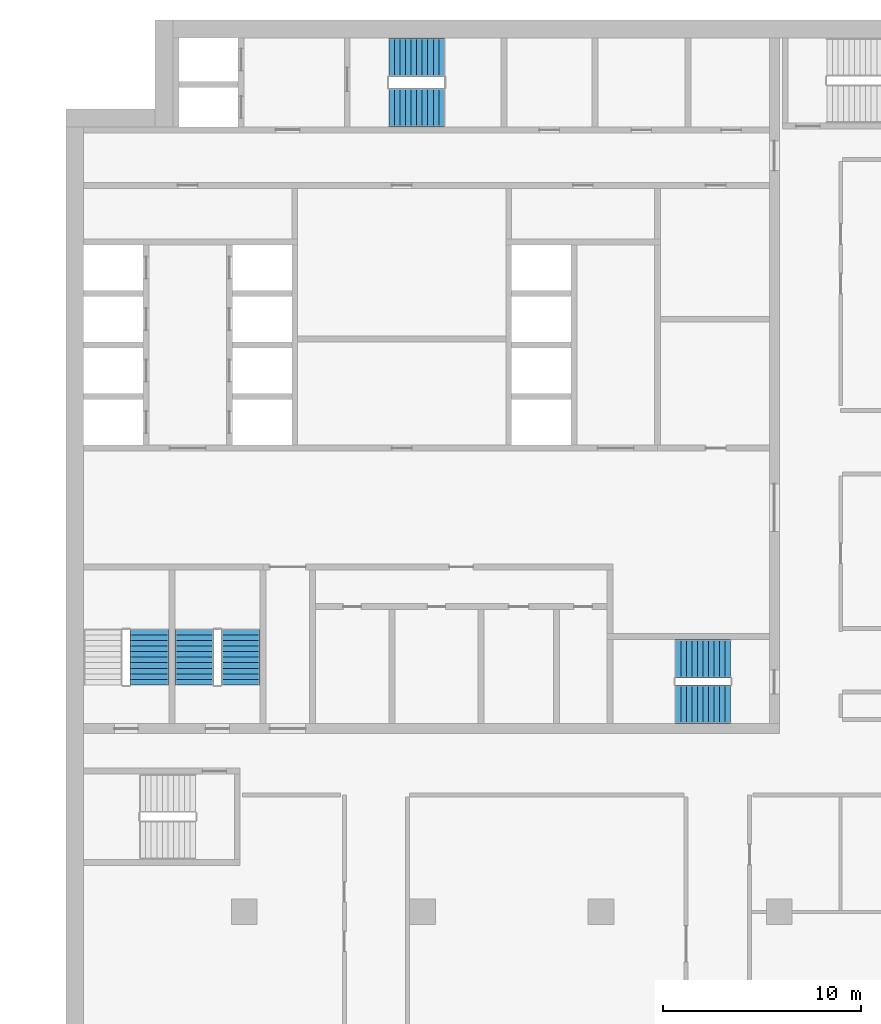
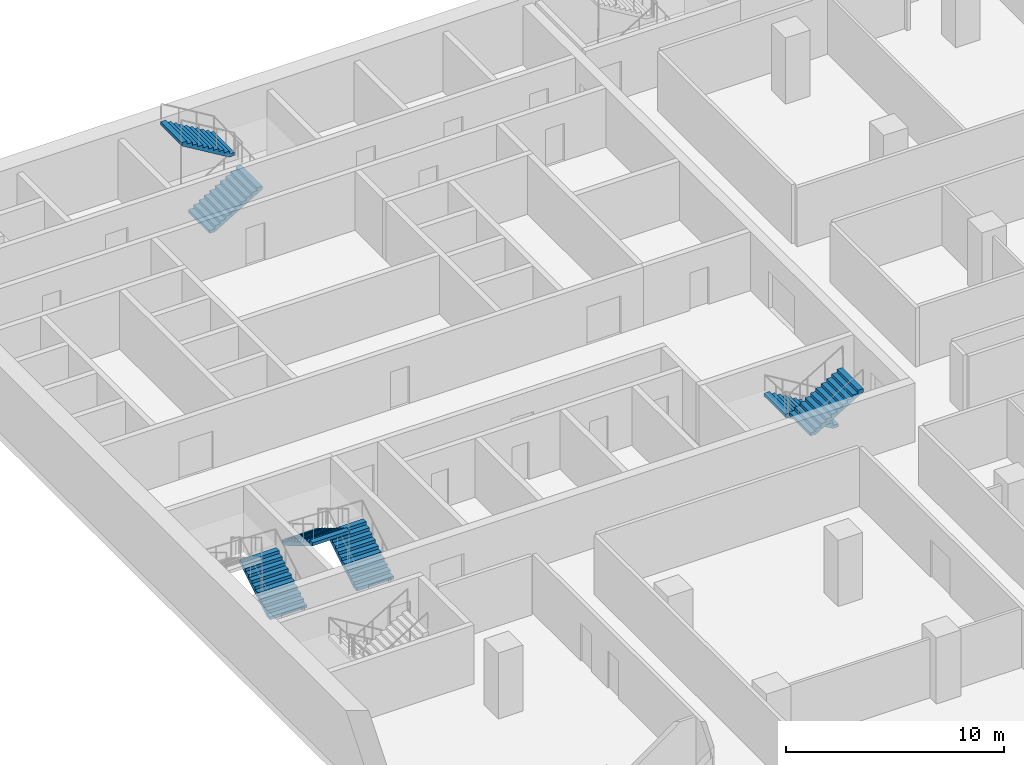
# One storey, part 17 of 23: 7 stair flights, 4 elements without a shape of their own.
"""IFC4 building model written with IfcOpenShell, lengths in metres."""

from ifc_helpers import new_model, si_unit, direction, frame, origin, place, context, subcontext, project, spatial, polyline, outline, extrude, material, type_object, element, aggregate, save


model = new_model("IFC4")

# Units and contexts
model_context = context("Model", 3, precision=1e-05, world=origin(), true_north=direction((0.0, 1.0)))
body_context = subcontext(model_context, "Body", "Model", "MODEL_VIEW")
ifc_project = project(units=[si_unit("LENGTHUNIT", "METRE"), si_unit("AREAUNIT", "SQUARE_METRE"), si_unit("VOLUMEUNIT", "CUBIC_METRE"), si_unit("PLANEANGLEUNIT", "RADIAN"), si_unit("MASSUNIT", "GRAM", prefix="KILO")], contexts=[model_context])

# Site, building, storey
site_placement = place(None, origin())
site = spatial("IfcSite", under=ifc_project, at=site_placement, CompositionType="ELEMENT")
building_placement = place(site_placement, origin())
building = spatial("IfcBuilding", under=site, at=building_placement, Name="Hunhe Ridgeline Campus", CompositionType="ELEMENT")
storey_placement = place(building_placement, frame((0.0, 0.0, 107.0)))
storey = spatial("IfcBuildingStorey", under=building, at=storey_placement, Name="L26", CompositionType="ELEMENT", Elevation=107.0)

# Stair, stair flights
ifc_material = material(Name="Concrete C40", Category="concrete")
stair_type = type_object("IfcStairType", Name="Reinforced concrete dog-leg stair 1950 Concrete C40", PredefinedType="HALF_TURN_STAIR", material=ifc_material)
stair_1_placement = place(storey_placement, origin())
stair_1 = element("IfcStair", 1, at=stair_1_placement, inside=storey, type_object=stair_type, Name="L26 S1", PredefinedType="HALF_TURN_STAIR")
stair_flight_type = type_object("IfcStairFlightType", Name="Reinforced concrete stair flight 1950 Concrete C40", PredefinedType="STRAIGHT", material=ifc_material)
stair_flight_1_placement = place(storey_placement, frame((16.300048828125, 94.574951171875, 0.0), z_axis=(0.0, 0.0, 1.0), x_axis=(1.0, 0.0, 0.0)))
stair_flight_1 = element("IfcStairFlight", 2, at=stair_flight_1_placement, type_object=stair_flight_type, Name="ST1 flight 1", NumberOfRisers=11, NumberOfTreads=10, PredefinedType="STRAIGHT", RiserHeight=0.168181818, TreadLength=0.28, context=body_context, shape_type="SweptSolid", body=[
    extrude(outline(polyline([(0.0, 0.0), (0.0, 0.168212890625), (0.280029296875, 0.168212890625), (0.280029296875, 0.33642578125), (0.56005859375, 0.33642578125), (0.56005859375, 0.504638671875), (0.840087890625, 0.504638671875), (0.840087890625, 0.672607421875), (1.1201171875, 0.672607421875), (1.1201171875, 0.8408203125), (1.39990234375, 0.8408203125), (1.39990234375, 1.009033203125), (1.679931640625, 1.009033203125), (1.679931640625, 1.17724609375), (1.9599609375, 1.17724609375), (1.9599609375, 1.345458984375), (2.239990234375, 1.345458984375), (2.239990234375, 1.513671875), (2.52001953125, 1.513671875), (2.52001953125, 1.681884765625), (2.800048828125, 1.681884765625), (2.800048828125, 1.85009765625), (2.800048828125, 1.5068359375), (0.291015625, 0.0), (0.0, 0.0)])), frame((0.0, 0.97509765625, 0.0), z_axis=(0.0, -1.0, 0.0), x_axis=(1.0, 0.0, 0.0)), (0.0, 0.0, 1.0), 1.949951171875),
    extrude(outline(polyline([(0.030029296875, 0.030029296875), (0.030029296875, 0.13818359375), (0.31005859375, 0.13818359375), (0.31005859375, 0.306396484375), (0.590087890625, 0.306396484375), (0.590087890625, 0.474609375), (0.8701171875, 0.474609375), (0.8701171875, 0.642578125), (1.14990234375, 0.642578125), (1.14990234375, 0.810791015625), (1.429931640625, 0.810791015625), (1.429931640625, 0.97900390625), (1.7099609375, 0.97900390625), (1.7099609375, 1.147216796875), (1.989990234375, 1.147216796875), (1.989990234375, 1.3154296875), (2.27001953125, 1.3154296875), (2.27001953125, 1.483642578125), (2.550048828125, 1.483642578125), (2.550048828125, 1.65185546875), (2.77001953125, 1.65185546875), (2.77001953125, 1.52392578125), (0.28271484375, 0.030029296875), (0.030029296875, 0.030029296875)])), frame((0.0, -0.070068359375, 0.0), z_axis=(0.0, -1.0, 0.0), x_axis=(1.0, 0.0, 0.0)), (0.0, 0.0, 1.0), 0.019775390625),
    extrude(outline(polyline([(0.030029296875, 0.030029296875), (0.030029296875, 0.13818359375), (0.31005859375, 0.13818359375), (0.31005859375, 0.306396484375), (0.590087890625, 0.306396484375), (0.590087890625, 0.474609375), (0.8701171875, 0.474609375), (0.8701171875, 0.642578125), (1.14990234375, 0.642578125), (1.14990234375, 0.810791015625), (1.429931640625, 0.810791015625), (1.429931640625, 0.97900390625), (1.7099609375, 0.97900390625), (1.7099609375, 1.147216796875), (1.989990234375, 1.147216796875), (1.989990234375, 1.3154296875), (2.27001953125, 1.3154296875), (2.27001953125, 1.483642578125), (2.550048828125, 1.483642578125), (2.550048828125, 1.65185546875), (2.77001953125, 1.65185546875), (2.77001953125, 1.52392578125), (0.28271484375, 0.030029296875), (0.030029296875, 0.030029296875)])), frame((0.0, 0.010009765625, 0.0), z_axis=(0.0, -1.0, 0.0), x_axis=(1.0, 0.0, 0.0)), (0.0, 0.0, 1.0), 0.019775390625),
    extrude(outline(polyline([(0.030029296875, 0.030029296875), (0.030029296875, 0.13818359375), (0.31005859375, 0.13818359375), (0.31005859375, 0.306396484375), (0.590087890625, 0.306396484375), (0.590087890625, 0.474609375), (0.8701171875, 0.474609375), (0.8701171875, 0.642578125), (1.14990234375, 0.642578125), (1.14990234375, 0.810791015625), (1.429931640625, 0.810791015625), (1.429931640625, 0.97900390625), (1.7099609375, 0.97900390625), (1.7099609375, 1.147216796875), (1.989990234375, 1.147216796875), (1.989990234375, 1.3154296875), (2.27001953125, 1.3154296875), (2.27001953125, 1.483642578125), (2.550048828125, 1.483642578125), (2.550048828125, 1.65185546875), (2.77001953125, 1.65185546875), (2.77001953125, 1.52392578125), (0.28271484375, 0.030029296875), (0.030029296875, 0.030029296875)])), frame((0.0, 0.090087890625, 0.0), z_axis=(0.0, -1.0, 0.0), x_axis=(1.0, 0.0, 0.0)), (0.0, 0.0, 1.0), 0.019775390625),
])
stair_flight_2_placement = place(storey_placement, frame((19.10009765625, 97.125, 1.85009765625), z_axis=(0.0, 0.0, 1.0), x_axis=(-1.0, 0.0, 0.0)))
stair_flight_2 = element("IfcStairFlight", 3, at=stair_flight_2_placement, type_object=stair_flight_type, Name="ST1 flight 2", NumberOfRisers=11, NumberOfTreads=10, PredefinedType="STRAIGHT", RiserHeight=0.168181818, TreadLength=0.28, context=body_context, shape_type="SweptSolid", body=[
    extrude(outline(polyline([(0.0, 0.0), (0.0, 0.168212890625), (0.280029296875, 0.168212890625), (0.280029296875, 0.33642578125), (0.56005859375, 0.33642578125), (0.56005859375, 0.504638671875), (0.840087890625, 0.504638671875), (0.840087890625, 0.672607421875), (1.1201171875, 0.672607421875), (1.1201171875, 0.8408203125), (1.39990234375, 0.8408203125), (1.39990234375, 1.009033203125), (1.679931640625, 1.009033203125), (1.679931640625, 1.17724609375), (1.9599609375, 1.17724609375), (1.9599609375, 1.345458984375), (2.239990234375, 1.345458984375), (2.239990234375, 1.513671875), (2.52001953125, 1.513671875), (2.52001953125, 1.681884765625), (2.800048828125, 1.681884765625), (2.800048828125, 1.85009765625), (2.800048828125, 1.5068359375), (0.291015625, 0.0), (0.0, 0.0)])), frame((0.0, 0.97509765625, 0.0), z_axis=(0.0, -1.0, 0.0), x_axis=(1.0, 0.0, 0.0)), (0.0, 0.0, 1.0), 1.949951171875),
    extrude(outline(polyline([(0.030029296875, 0.030029296875), (0.030029296875, 0.13818359375), (0.31005859375, 0.13818359375), (0.31005859375, 0.306396484375), (0.590087890625, 0.306396484375), (0.590087890625, 0.474609375), (0.8701171875, 0.474609375), (0.8701171875, 0.642578125), (1.14990234375, 0.642578125), (1.14990234375, 0.810791015625), (1.429931640625, 0.810791015625), (1.429931640625, 0.97900390625), (1.7099609375, 0.97900390625), (1.7099609375, 1.147216796875), (1.989990234375, 1.147216796875), (1.989990234375, 1.3154296875), (2.27001953125, 1.3154296875), (2.27001953125, 1.483642578125), (2.550048828125, 1.483642578125), (2.550048828125, 1.65185546875), (2.77001953125, 1.65185546875), (2.77001953125, 1.52392578125), (0.28271484375, 0.030029296875), (0.030029296875, 0.030029296875)])), frame((0.0, -0.070068359375, 0.0), z_axis=(0.0, -1.0, 0.0), x_axis=(1.0, 0.0, 0.0)), (0.0, 0.0, 1.0), 0.019775390625),
    extrude(outline(polyline([(0.030029296875, 0.030029296875), (0.030029296875, 0.13818359375), (0.31005859375, 0.13818359375), (0.31005859375, 0.306396484375), (0.590087890625, 0.306396484375), (0.590087890625, 0.474609375), (0.8701171875, 0.474609375), (0.8701171875, 0.642578125), (1.14990234375, 0.642578125), (1.14990234375, 0.810791015625), (1.429931640625, 0.810791015625), (1.429931640625, 0.97900390625), (1.7099609375, 0.97900390625), (1.7099609375, 1.147216796875), (1.989990234375, 1.147216796875), (1.989990234375, 1.3154296875), (2.27001953125, 1.3154296875), (2.27001953125, 1.483642578125), (2.550048828125, 1.483642578125), (2.550048828125, 1.65185546875), (2.77001953125, 1.65185546875), (2.77001953125, 1.52392578125), (0.28271484375, 0.030029296875), (0.030029296875, 0.030029296875)])), frame((0.0, 0.010009765625, 0.0), z_axis=(0.0, -1.0, 0.0), x_axis=(1.0, 0.0, 0.0)), (0.0, 0.0, 1.0), 0.019775390625),
    extrude(outline(polyline([(0.030029296875, 0.030029296875), (0.030029296875, 0.13818359375), (0.31005859375, 0.13818359375), (0.31005859375, 0.306396484375), (0.590087890625, 0.306396484375), (0.590087890625, 0.474609375), (0.8701171875, 0.474609375), (0.8701171875, 0.642578125), (1.14990234375, 0.642578125), (1.14990234375, 0.810791015625), (1.429931640625, 0.810791015625), (1.429931640625, 0.97900390625), (1.7099609375, 0.97900390625), (1.7099609375, 1.147216796875), (1.989990234375, 1.147216796875), (1.989990234375, 1.3154296875), (2.27001953125, 1.3154296875), (2.27001953125, 1.483642578125), (2.550048828125, 1.483642578125), (2.550048828125, 1.65185546875), (2.77001953125, 1.65185546875), (2.77001953125, 1.52392578125), (0.28271484375, 0.030029296875), (0.030029296875, 0.030029296875)])), frame((0.0, 0.090087890625, 0.0), z_axis=(0.0, -1.0, 0.0), x_axis=(1.0, 0.0, 0.0)), (0.0, 0.0, 1.0), 0.019775390625),
])
aggregate(stair_1, [stair_flight_1, stair_flight_2])

stair_2_placement = place(storey_placement, origin())
stair_2 = element("IfcStair", 4, at=stair_2_placement, inside=storey, type_object=stair_type, Name="L26 S2", PredefinedType="HALF_TURN_STAIR")
stair_flight_3_placement = place(storey_placement, frame((33.550048828125, 66.77490234375, 0.0), z_axis=(0.0, 0.0, 1.0), x_axis=(-1.0, 0.0, 0.0)))
stair_flight_3 = element("IfcStairFlight", 5, at=stair_flight_3_placement, type_object=stair_flight_type, Name="ST2 flight 1", NumberOfRisers=11, NumberOfTreads=10, PredefinedType="STRAIGHT", RiserHeight=0.168181818, TreadLength=0.28, context=body_context, shape_type="SweptSolid", body=[
    extrude(outline(polyline([(0.0, 0.0), (0.0, 0.168212890625), (0.280029296875, 0.168212890625), (0.280029296875, 0.33642578125), (0.56005859375, 0.33642578125), (0.56005859375, 0.504638671875), (0.840087890625, 0.504638671875), (0.840087890625, 0.672607421875), (1.1201171875, 0.672607421875), (1.1201171875, 0.8408203125), (1.39990234375, 0.8408203125), (1.39990234375, 1.009033203125), (1.679931640625, 1.009033203125), (1.679931640625, 1.17724609375), (1.9599609375, 1.17724609375), (1.9599609375, 1.345458984375), (2.239990234375, 1.345458984375), (2.239990234375, 1.513671875), (2.52001953125, 1.513671875), (2.52001953125, 1.681884765625), (2.800048828125, 1.681884765625), (2.800048828125, 1.85009765625), (2.800048828125, 1.5068359375), (0.291015625, 0.0), (0.0, 0.0)])), frame((0.0, 0.97509765625, 0.0), z_axis=(0.0, -1.0, 0.0), x_axis=(1.0, 0.0, 0.0)), (0.0, 0.0, 1.0), 1.949951171875),
    extrude(outline(polyline([(0.030029296875, 0.030029296875), (0.030029296875, 0.13818359375), (0.31005859375, 0.13818359375), (0.31005859375, 0.306396484375), (0.590087890625, 0.306396484375), (0.590087890625, 0.474609375), (0.8701171875, 0.474609375), (0.8701171875, 0.642578125), (1.14990234375, 0.642578125), (1.14990234375, 0.810791015625), (1.429931640625, 0.810791015625), (1.429931640625, 0.97900390625), (1.7099609375, 0.97900390625), (1.7099609375, 1.147216796875), (1.989990234375, 1.147216796875), (1.989990234375, 1.3154296875), (2.27001953125, 1.3154296875), (2.27001953125, 1.483642578125), (2.550048828125, 1.483642578125), (2.550048828125, 1.65185546875), (2.77001953125, 1.65185546875), (2.77001953125, 1.52392578125), (0.28271484375, 0.030029296875), (0.030029296875, 0.030029296875)])), frame((0.0, -0.070068359375, 0.0), z_axis=(0.0, -1.0, 0.0), x_axis=(1.0, 0.0, 0.0)), (0.0, 0.0, 1.0), 0.019775390625),
    extrude(outline(polyline([(0.030029296875, 0.030029296875), (0.030029296875, 0.13818359375), (0.31005859375, 0.13818359375), (0.31005859375, 0.306396484375), (0.590087890625, 0.306396484375), (0.590087890625, 0.474609375), (0.8701171875, 0.474609375), (0.8701171875, 0.642578125), (1.14990234375, 0.642578125), (1.14990234375, 0.810791015625), (1.429931640625, 0.810791015625), (1.429931640625, 0.97900390625), (1.7099609375, 0.97900390625), (1.7099609375, 1.147216796875), (1.989990234375, 1.147216796875), (1.989990234375, 1.3154296875), (2.27001953125, 1.3154296875), (2.27001953125, 1.483642578125), (2.550048828125, 1.483642578125), (2.550048828125, 1.65185546875), (2.77001953125, 1.65185546875), (2.77001953125, 1.52392578125), (0.28271484375, 0.030029296875), (0.030029296875, 0.030029296875)])), frame((0.0, 0.010009765625, 0.0), z_axis=(0.0, -1.0, 0.0), x_axis=(1.0, 0.0, 0.0)), (0.0, 0.0, 1.0), 0.019775390625),
    extrude(outline(polyline([(0.030029296875, 0.030029296875), (0.030029296875, 0.13818359375), (0.31005859375, 0.13818359375), (0.31005859375, 0.306396484375), (0.590087890625, 0.306396484375), (0.590087890625, 0.474609375), (0.8701171875, 0.474609375), (0.8701171875, 0.642578125), (1.14990234375, 0.642578125), (1.14990234375, 0.810791015625), (1.429931640625, 0.810791015625), (1.429931640625, 0.97900390625), (1.7099609375, 0.97900390625), (1.7099609375, 1.147216796875), (1.989990234375, 1.147216796875), (1.989990234375, 1.3154296875), (2.27001953125, 1.3154296875), (2.27001953125, 1.483642578125), (2.550048828125, 1.483642578125), (2.550048828125, 1.65185546875), (2.77001953125, 1.65185546875), (2.77001953125, 1.52392578125), (0.28271484375, 0.030029296875), (0.030029296875, 0.030029296875)])), frame((0.0, 0.090087890625, 0.0), z_axis=(0.0, -1.0, 0.0), x_axis=(1.0, 0.0, 0.0)), (0.0, 0.0, 1.0), 0.019775390625),
])
stair_flight_4_placement = place(storey_placement, frame((30.75, 64.47509765625, 1.85009765625), z_axis=(0.0, 0.0, 1.0), x_axis=(1.0, 0.0, 0.0)))
stair_flight_4 = element("IfcStairFlight", 6, at=stair_flight_4_placement, type_object=stair_flight_type, Name="ST2 flight 2", NumberOfRisers=11, NumberOfTreads=10, PredefinedType="STRAIGHT", RiserHeight=0.168181818, TreadLength=0.28, context=body_context, shape_type="SweptSolid", body=[
    extrude(outline(polyline([(0.0, 0.0), (0.0, 0.168212890625), (0.280029296875, 0.168212890625), (0.280029296875, 0.33642578125), (0.56005859375, 0.33642578125), (0.56005859375, 0.504638671875), (0.840087890625, 0.504638671875), (0.840087890625, 0.672607421875), (1.1201171875, 0.672607421875), (1.1201171875, 0.8408203125), (1.39990234375, 0.8408203125), (1.39990234375, 1.009033203125), (1.679931640625, 1.009033203125), (1.679931640625, 1.17724609375), (1.9599609375, 1.17724609375), (1.9599609375, 1.345458984375), (2.239990234375, 1.345458984375), (2.239990234375, 1.513671875), (2.52001953125, 1.513671875), (2.52001953125, 1.681884765625), (2.800048828125, 1.681884765625), (2.800048828125, 1.85009765625), (2.800048828125, 1.5068359375), (0.291015625, 0.0), (0.0, 0.0)])), frame((0.0, 0.97509765625, 0.0), z_axis=(0.0, -1.0, 0.0), x_axis=(1.0, 0.0, 0.0)), (0.0, 0.0, 1.0), 1.949951171875),
    extrude(outline(polyline([(0.030029296875, 0.030029296875), (0.030029296875, 0.13818359375), (0.31005859375, 0.13818359375), (0.31005859375, 0.306396484375), (0.590087890625, 0.306396484375), (0.590087890625, 0.474609375), (0.8701171875, 0.474609375), (0.8701171875, 0.642578125), (1.14990234375, 0.642578125), (1.14990234375, 0.810791015625), (1.429931640625, 0.810791015625), (1.429931640625, 0.97900390625), (1.7099609375, 0.97900390625), (1.7099609375, 1.147216796875), (1.989990234375, 1.147216796875), (1.989990234375, 1.3154296875), (2.27001953125, 1.3154296875), (2.27001953125, 1.483642578125), (2.550048828125, 1.483642578125), (2.550048828125, 1.65185546875), (2.77001953125, 1.65185546875), (2.77001953125, 1.52392578125), (0.28271484375, 0.030029296875), (0.030029296875, 0.030029296875)])), frame((0.0, -0.070068359375, 0.0), z_axis=(0.0, -1.0, 0.0), x_axis=(1.0, 0.0, 0.0)), (0.0, 0.0, 1.0), 0.019775390625),
    extrude(outline(polyline([(0.030029296875, 0.030029296875), (0.030029296875, 0.13818359375), (0.31005859375, 0.13818359375), (0.31005859375, 0.306396484375), (0.590087890625, 0.306396484375), (0.590087890625, 0.474609375), (0.8701171875, 0.474609375), (0.8701171875, 0.642578125), (1.14990234375, 0.642578125), (1.14990234375, 0.810791015625), (1.429931640625, 0.810791015625), (1.429931640625, 0.97900390625), (1.7099609375, 0.97900390625), (1.7099609375, 1.147216796875), (1.989990234375, 1.147216796875), (1.989990234375, 1.3154296875), (2.27001953125, 1.3154296875), (2.27001953125, 1.483642578125), (2.550048828125, 1.483642578125), (2.550048828125, 1.65185546875), (2.77001953125, 1.65185546875), (2.77001953125, 1.52392578125), (0.28271484375, 0.030029296875), (0.030029296875, 0.030029296875)])), frame((0.0, 0.010009765625, 0.0), z_axis=(0.0, -1.0, 0.0), x_axis=(1.0, 0.0, 0.0)), (0.0, 0.0, 1.0), 0.019775390625),
    extrude(outline(polyline([(0.030029296875, 0.030029296875), (0.030029296875, 0.13818359375), (0.31005859375, 0.13818359375), (0.31005859375, 0.306396484375), (0.590087890625, 0.306396484375), (0.590087890625, 0.474609375), (0.8701171875, 0.474609375), (0.8701171875, 0.642578125), (1.14990234375, 0.642578125), (1.14990234375, 0.810791015625), (1.429931640625, 0.810791015625), (1.429931640625, 0.97900390625), (1.7099609375, 0.97900390625), (1.7099609375, 1.147216796875), (1.989990234375, 1.147216796875), (1.989990234375, 1.3154296875), (2.27001953125, 1.3154296875), (2.27001953125, 1.483642578125), (2.550048828125, 1.483642578125), (2.550048828125, 1.65185546875), (2.77001953125, 1.65185546875), (2.77001953125, 1.52392578125), (0.28271484375, 0.030029296875), (0.030029296875, 0.030029296875)])), frame((0.0, 0.090087890625, 0.0), z_axis=(0.0, -1.0, 0.0), x_axis=(1.0, 0.0, 0.0)), (0.0, 0.0, 1.0), 0.019775390625),
])
aggregate(stair_2, [stair_flight_3, stair_flight_4])

# Stair, stair flight
stair_3_placement = place(storey_placement, origin())
stair_3 = element("IfcStair", 7, at=stair_3_placement, inside=storey, type_object=stair_type, Name="L26 S3", PredefinedType="HALF_TURN_STAIR")
stair_flight_5_placement = place(storey_placement, frame((4.22509765625, 65.449951171875, 0.0), z_axis=(0.0, 0.0, 1.0), x_axis=(0.0, 1.0, 0.0)))
stair_flight_5 = element("IfcStairFlight", 8, at=stair_flight_5_placement, type_object=stair_flight_type, Name="ST3 flight 1", NumberOfRisers=11, NumberOfTreads=10, PredefinedType="STRAIGHT", RiserHeight=0.168181818, TreadLength=0.28, context=body_context, shape_type="SweptSolid", body=[
    extrude(outline(polyline([(0.0, 0.0), (0.0, 0.168212890625), (0.280029296875, 0.168212890625), (0.280029296875, 0.33642578125), (0.56005859375, 0.33642578125), (0.56005859375, 0.504638671875), (0.840087890625, 0.504638671875), (0.840087890625, 0.672607421875), (1.1201171875, 0.672607421875), (1.1201171875, 0.8408203125), (1.39990234375, 0.8408203125), (1.39990234375, 1.009033203125), (1.679931640625, 1.009033203125), (1.679931640625, 1.17724609375), (1.9599609375, 1.17724609375), (1.9599609375, 1.345458984375), (2.239990234375, 1.345458984375), (2.239990234375, 1.513671875), (2.52001953125, 1.513671875), (2.52001953125, 1.681884765625), (2.800048828125, 1.681884765625), (2.800048828125, 1.85009765625), (2.800048828125, 1.5068359375), (0.291015625, 0.0), (0.0, 0.0)])), frame((0.0, 0.97509765625, 0.0), z_axis=(0.0, -1.0, 0.0), x_axis=(1.0, 0.0, 0.0)), (0.0, 0.0, 1.0), 1.949951171875),
    extrude(outline(polyline([(0.030029296875, 0.030029296875), (0.030029296875, 0.13818359375), (0.31005859375, 0.13818359375), (0.31005859375, 0.306396484375), (0.590087890625, 0.306396484375), (0.590087890625, 0.474609375), (0.8701171875, 0.474609375), (0.8701171875, 0.642578125), (1.14990234375, 0.642578125), (1.14990234375, 0.810791015625), (1.429931640625, 0.810791015625), (1.429931640625, 0.97900390625), (1.7099609375, 0.97900390625), (1.7099609375, 1.147216796875), (1.989990234375, 1.147216796875), (1.989990234375, 1.3154296875), (2.27001953125, 1.3154296875), (2.27001953125, 1.483642578125), (2.550048828125, 1.483642578125), (2.550048828125, 1.65185546875), (2.77001953125, 1.65185546875), (2.77001953125, 1.52392578125), (0.28271484375, 0.030029296875), (0.030029296875, 0.030029296875)])), frame((0.0, -0.070068359375, 0.0), z_axis=(0.0, -1.0, 0.0), x_axis=(1.0, 0.0, 0.0)), (0.0, 0.0, 1.0), 0.019775390625),
    extrude(outline(polyline([(0.030029296875, 0.030029296875), (0.030029296875, 0.13818359375), (0.31005859375, 0.13818359375), (0.31005859375, 0.306396484375), (0.590087890625, 0.306396484375), (0.590087890625, 0.474609375), (0.8701171875, 0.474609375), (0.8701171875, 0.642578125), (1.14990234375, 0.642578125), (1.14990234375, 0.810791015625), (1.429931640625, 0.810791015625), (1.429931640625, 0.97900390625), (1.7099609375, 0.97900390625), (1.7099609375, 1.147216796875), (1.989990234375, 1.147216796875), (1.989990234375, 1.3154296875), (2.27001953125, 1.3154296875), (2.27001953125, 1.483642578125), (2.550048828125, 1.483642578125), (2.550048828125, 1.65185546875), (2.77001953125, 1.65185546875), (2.77001953125, 1.52392578125), (0.28271484375, 0.030029296875), (0.030029296875, 0.030029296875)])), frame((0.0, 0.010009765625, 0.0), z_axis=(0.0, -1.0, 0.0), x_axis=(1.0, 0.0, 0.0)), (0.0, 0.0, 1.0), 0.019775390625),
    extrude(outline(polyline([(0.030029296875, 0.030029296875), (0.030029296875, 0.13818359375), (0.31005859375, 0.13818359375), (0.31005859375, 0.306396484375), (0.590087890625, 0.306396484375), (0.590087890625, 0.474609375), (0.8701171875, 0.474609375), (0.8701171875, 0.642578125), (1.14990234375, 0.642578125), (1.14990234375, 0.810791015625), (1.429931640625, 0.810791015625), (1.429931640625, 0.97900390625), (1.7099609375, 0.97900390625), (1.7099609375, 1.147216796875), (1.989990234375, 1.147216796875), (1.989990234375, 1.3154296875), (2.27001953125, 1.3154296875), (2.27001953125, 1.483642578125), (2.550048828125, 1.483642578125), (2.550048828125, 1.65185546875), (2.77001953125, 1.65185546875), (2.77001953125, 1.52392578125), (0.28271484375, 0.030029296875), (0.030029296875, 0.030029296875)])), frame((0.0, 0.090087890625, 0.0), z_axis=(0.0, -1.0, 0.0), x_axis=(1.0, 0.0, 0.0)), (0.0, 0.0, 1.0), 0.019775390625),
])
aggregate(stair_3, [stair_flight_5])

# Stair, stair flights
stair_4_placement = place(storey_placement, origin())
stair_4 = element("IfcStair", 9, at=stair_4_placement, inside=storey, type_object=stair_type, Name="L26 S4", PredefinedType="HALF_TURN_STAIR")
stair_flight_6_placement = place(storey_placement, frame((8.824951171875, 65.449951171875, 0.0), z_axis=(0.0, 0.0, 1.0), x_axis=(0.0, 1.0, 0.0)))
stair_flight_6 = element("IfcStairFlight", 10, at=stair_flight_6_placement, type_object=stair_flight_type, Name="ST4 flight 1", NumberOfRisers=11, NumberOfTreads=10, PredefinedType="STRAIGHT", RiserHeight=0.168181818, TreadLength=0.28, context=body_context, shape_type="SweptSolid", body=[
    extrude(outline(polyline([(0.0, 0.0), (0.0, 0.168212890625), (0.280029296875, 0.168212890625), (0.280029296875, 0.33642578125), (0.56005859375, 0.33642578125), (0.56005859375, 0.504638671875), (0.840087890625, 0.504638671875), (0.840087890625, 0.672607421875), (1.1201171875, 0.672607421875), (1.1201171875, 0.8408203125), (1.39990234375, 0.8408203125), (1.39990234375, 1.009033203125), (1.679931640625, 1.009033203125), (1.679931640625, 1.17724609375), (1.9599609375, 1.17724609375), (1.9599609375, 1.345458984375), (2.239990234375, 1.345458984375), (2.239990234375, 1.513671875), (2.52001953125, 1.513671875), (2.52001953125, 1.681884765625), (2.800048828125, 1.681884765625), (2.800048828125, 1.85009765625), (2.800048828125, 1.5068359375), (0.291015625, 0.0), (0.0, 0.0)])), frame((0.0, 0.97509765625, 0.0), z_axis=(0.0, -1.0, 0.0), x_axis=(1.0, 0.0, 0.0)), (0.0, 0.0, 1.0), 1.949951171875),
    extrude(outline(polyline([(0.030029296875, 0.030029296875), (0.030029296875, 0.13818359375), (0.31005859375, 0.13818359375), (0.31005859375, 0.306396484375), (0.590087890625, 0.306396484375), (0.590087890625, 0.474609375), (0.8701171875, 0.474609375), (0.8701171875, 0.642578125), (1.14990234375, 0.642578125), (1.14990234375, 0.810791015625), (1.429931640625, 0.810791015625), (1.429931640625, 0.97900390625), (1.7099609375, 0.97900390625), (1.7099609375, 1.147216796875), (1.989990234375, 1.147216796875), (1.989990234375, 1.3154296875), (2.27001953125, 1.3154296875), (2.27001953125, 1.483642578125), (2.550048828125, 1.483642578125), (2.550048828125, 1.65185546875), (2.77001953125, 1.65185546875), (2.77001953125, 1.52392578125), (0.28271484375, 0.030029296875), (0.030029296875, 0.030029296875)])), frame((0.0, -0.070068359375, 0.0), z_axis=(0.0, -1.0, 0.0), x_axis=(1.0, 0.0, 0.0)), (0.0, 0.0, 1.0), 0.019775390625),
    extrude(outline(polyline([(0.030029296875, 0.030029296875), (0.030029296875, 0.13818359375), (0.31005859375, 0.13818359375), (0.31005859375, 0.306396484375), (0.590087890625, 0.306396484375), (0.590087890625, 0.474609375), (0.8701171875, 0.474609375), (0.8701171875, 0.642578125), (1.14990234375, 0.642578125), (1.14990234375, 0.810791015625), (1.429931640625, 0.810791015625), (1.429931640625, 0.97900390625), (1.7099609375, 0.97900390625), (1.7099609375, 1.147216796875), (1.989990234375, 1.147216796875), (1.989990234375, 1.3154296875), (2.27001953125, 1.3154296875), (2.27001953125, 1.483642578125), (2.550048828125, 1.483642578125), (2.550048828125, 1.65185546875), (2.77001953125, 1.65185546875), (2.77001953125, 1.52392578125), (0.28271484375, 0.030029296875), (0.030029296875, 0.030029296875)])), frame((0.0, 0.010009765625, 0.0), z_axis=(0.0, -1.0, 0.0), x_axis=(1.0, 0.0, 0.0)), (0.0, 0.0, 1.0), 0.019775390625),
    extrude(outline(polyline([(0.030029296875, 0.030029296875), (0.030029296875, 0.13818359375), (0.31005859375, 0.13818359375), (0.31005859375, 0.306396484375), (0.590087890625, 0.306396484375), (0.590087890625, 0.474609375), (0.8701171875, 0.474609375), (0.8701171875, 0.642578125), (1.14990234375, 0.642578125), (1.14990234375, 0.810791015625), (1.429931640625, 0.810791015625), (1.429931640625, 0.97900390625), (1.7099609375, 0.97900390625), (1.7099609375, 1.147216796875), (1.989990234375, 1.147216796875), (1.989990234375, 1.3154296875), (2.27001953125, 1.3154296875), (2.27001953125, 1.483642578125), (2.550048828125, 1.483642578125), (2.550048828125, 1.65185546875), (2.77001953125, 1.65185546875), (2.77001953125, 1.52392578125), (0.28271484375, 0.030029296875), (0.030029296875, 0.030029296875)])), frame((0.0, 0.090087890625, 0.0), z_axis=(0.0, -1.0, 0.0), x_axis=(1.0, 0.0, 0.0)), (0.0, 0.0, 1.0), 0.019775390625),
])
stair_flight_7_placement = place(storey_placement, frame((6.47509765625, 68.25, 1.85009765625), z_axis=(0.0, 0.0, 1.0), x_axis=(0.0, -1.0, 0.0)))
stair_flight_7 = element("IfcStairFlight", 11, at=stair_flight_7_placement, type_object=stair_flight_type, Name="ST4 flight 2", NumberOfRisers=11, NumberOfTreads=10, PredefinedType="STRAIGHT", RiserHeight=0.168181818, TreadLength=0.28, context=body_context, shape_type="SweptSolid", body=[
    extrude(outline(polyline([(0.0, 0.0), (0.0, 0.168212890625), (0.280029296875, 0.168212890625), (0.280029296875, 0.33642578125), (0.56005859375, 0.33642578125), (0.56005859375, 0.504638671875), (0.840087890625, 0.504638671875), (0.840087890625, 0.672607421875), (1.1201171875, 0.672607421875), (1.1201171875, 0.8408203125), (1.39990234375, 0.8408203125), (1.39990234375, 1.009033203125), (1.679931640625, 1.009033203125), (1.679931640625, 1.17724609375), (1.9599609375, 1.17724609375), (1.9599609375, 1.345458984375), (2.239990234375, 1.345458984375), (2.239990234375, 1.513671875), (2.52001953125, 1.513671875), (2.52001953125, 1.681884765625), (2.800048828125, 1.681884765625), (2.800048828125, 1.85009765625), (2.800048828125, 1.5068359375), (0.291015625, 0.0), (0.0, 0.0)])), frame((0.0, 0.97509765625, 0.0), z_axis=(0.0, -1.0, 0.0), x_axis=(1.0, 0.0, 0.0)), (0.0, 0.0, 1.0), 1.949951171875),
    extrude(outline(polyline([(0.030029296875, 0.030029296875), (0.030029296875, 0.13818359375), (0.31005859375, 0.13818359375), (0.31005859375, 0.306396484375), (0.590087890625, 0.306396484375), (0.590087890625, 0.474609375), (0.8701171875, 0.474609375), (0.8701171875, 0.642578125), (1.14990234375, 0.642578125), (1.14990234375, 0.810791015625), (1.429931640625, 0.810791015625), (1.429931640625, 0.97900390625), (1.7099609375, 0.97900390625), (1.7099609375, 1.147216796875), (1.989990234375, 1.147216796875), (1.989990234375, 1.3154296875), (2.27001953125, 1.3154296875), (2.27001953125, 1.483642578125), (2.550048828125, 1.483642578125), (2.550048828125, 1.65185546875), (2.77001953125, 1.65185546875), (2.77001953125, 1.52392578125), (0.28271484375, 0.030029296875), (0.030029296875, 0.030029296875)])), frame((0.0, -0.070068359375, 0.0), z_axis=(0.0, -1.0, 0.0), x_axis=(1.0, 0.0, 0.0)), (0.0, 0.0, 1.0), 0.019775390625),
    extrude(outline(polyline([(0.030029296875, 0.030029296875), (0.030029296875, 0.13818359375), (0.31005859375, 0.13818359375), (0.31005859375, 0.306396484375), (0.590087890625, 0.306396484375), (0.590087890625, 0.474609375), (0.8701171875, 0.474609375), (0.8701171875, 0.642578125), (1.14990234375, 0.642578125), (1.14990234375, 0.810791015625), (1.429931640625, 0.810791015625), (1.429931640625, 0.97900390625), (1.7099609375, 0.97900390625), (1.7099609375, 1.147216796875), (1.989990234375, 1.147216796875), (1.989990234375, 1.3154296875), (2.27001953125, 1.3154296875), (2.27001953125, 1.483642578125), (2.550048828125, 1.483642578125), (2.550048828125, 1.65185546875), (2.77001953125, 1.65185546875), (2.77001953125, 1.52392578125), (0.28271484375, 0.030029296875), (0.030029296875, 0.030029296875)])), frame((0.0, 0.010009765625, 0.0), z_axis=(0.0, -1.0, 0.0), x_axis=(1.0, 0.0, 0.0)), (0.0, 0.0, 1.0), 0.019775390625),
    extrude(outline(polyline([(0.030029296875, 0.030029296875), (0.030029296875, 0.13818359375), (0.31005859375, 0.13818359375), (0.31005859375, 0.306396484375), (0.590087890625, 0.306396484375), (0.590087890625, 0.474609375), (0.8701171875, 0.474609375), (0.8701171875, 0.642578125), (1.14990234375, 0.642578125), (1.14990234375, 0.810791015625), (1.429931640625, 0.810791015625), (1.429931640625, 0.97900390625), (1.7099609375, 0.97900390625), (1.7099609375, 1.147216796875), (1.989990234375, 1.147216796875), (1.989990234375, 1.3154296875), (2.27001953125, 1.3154296875), (2.27001953125, 1.483642578125), (2.550048828125, 1.483642578125), (2.550048828125, 1.65185546875), (2.77001953125, 1.65185546875), (2.77001953125, 1.52392578125), (0.28271484375, 0.030029296875), (0.030029296875, 0.030029296875)])), frame((0.0, 0.090087890625, 0.0), z_axis=(0.0, -1.0, 0.0), x_axis=(1.0, 0.0, 0.0)), (0.0, 0.0, 1.0), 0.019775390625),
])
aggregate(stair_4, [stair_flight_6, stair_flight_7])

save(model, "model.ifc")
